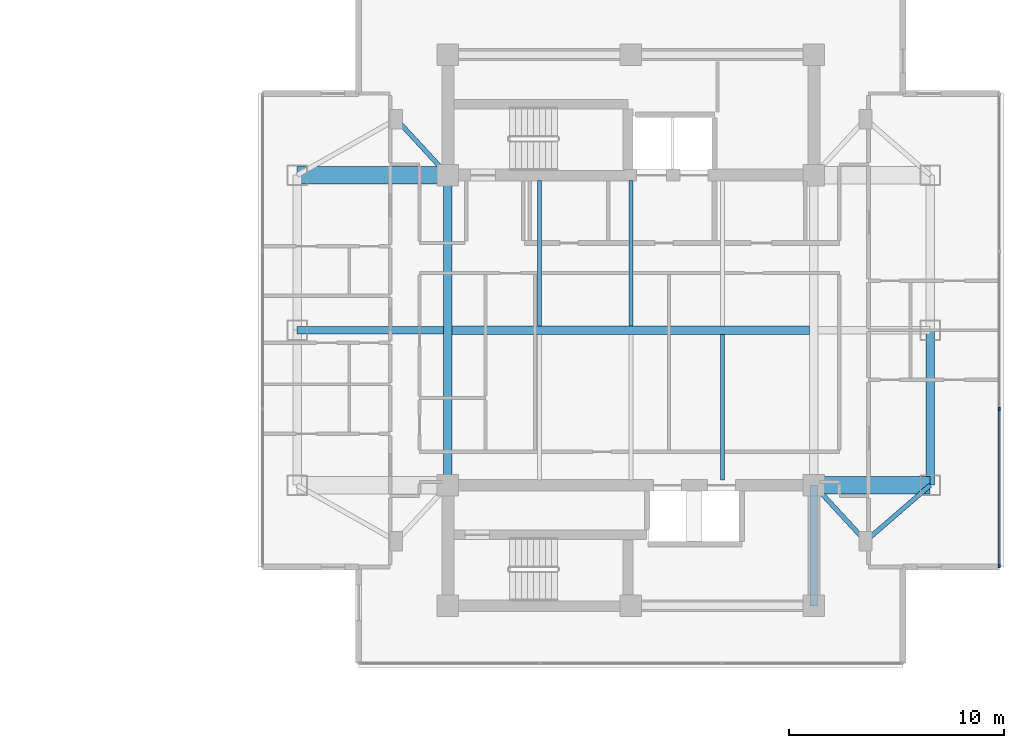
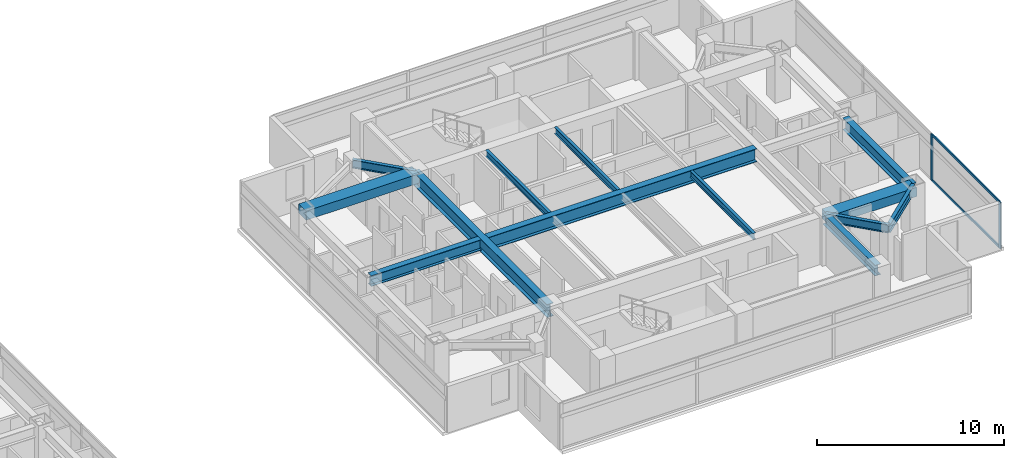
# One storey, part 9 of 24: 13 beams, 4 members, 1 element without a shape of its own.
"""IFC4 building model written with IfcOpenShell, lengths in metres."""

from ifc_helpers import new_model, si_unit, direction, frame, origin, origin_2d, place, context, subcontext, project, spatial, rectangle, i_section, extrude, material, material_profile, profile_set, type_object, element, aggregate, save


model = new_model("IFC4")

# Units and contexts
model_context = context("Model", 3, precision=1e-05, world=origin(), true_north=direction((0.0, 1.0)))
body_context = subcontext(model_context, "Body", "Model", "MODEL_VIEW")
ifc_project = project(units=[si_unit("LENGTHUNIT", "METRE"), si_unit("AREAUNIT", "SQUARE_METRE"), si_unit("VOLUMEUNIT", "CUBIC_METRE"), si_unit("PLANEANGLEUNIT", "RADIAN"), si_unit("MASSUNIT", "GRAM", prefix="KILO")], contexts=[model_context])

# Site, building, storey
site_placement = place(None, origin())
site = spatial("IfcSite", under=ifc_project, at=site_placement, CompositionType="ELEMENT")
building_placement = place(site_placement, origin())
building = spatial("IfcBuilding", under=site, at=building_placement, Name="Mirazonda Arch Towers", CompositionType="ELEMENT")
storey_placement = place(building_placement, frame((0.0, 0.0, 160.89990234375)))
storey = spatial("IfcBuildingStorey", under=building, at=storey_placement, Name="L45", CompositionType="ELEMENT", Elevation=160.89990234375)

# Beams
ifc_material_1 = material(Name="Steel ASTM A992 Grade 50", Category="steel")
ifc_material_profile_1 = material_profile(ifc_material_1, i_section(OverallWidth=0.381103515625, OverallDepth=0.77294921875, WebThickness=0.0166015625, FlangeThickness=0.027099609375, at=origin_2d()), Name="W30X173")
ifc_profile_set_1 = profile_set([ifc_material_profile_1], Name="Steel ASTM A992 Grade 50")
beam_type_1 = type_object("IfcBeamType", Name="BM-EXT-W30X173", PredefinedType="USERDEFINED", material=ifc_profile_set_1)
beam_1_placement = place(storey_placement, frame((90.39990234375, 20.800048828125, 2.66357421875), z_axis=(0.0, 1.0, 0.0), x_axis=(-1.0, 0.0, 0.0)))
element("IfcBeam", 1, at=beam_1_placement, inside=storey, type_object=beam_type_1, Name="L45 Floor Beam BM-T2-L45-NS-E-20", ObjectType="GIRDER", PredefinedType="USERDEFINED", context=body_context, shape_type="SweptSolid", body=[
    extrude(i_section(OverallWidth=0.381103515625, OverallDepth=0.77294921875, WebThickness=0.0166015625, FlangeThickness=0.027099609375, at=origin_2d()), origin(), (0.0, 0.0, 1.0), 7.199951171875),
])
ifc_material_profile_2 = material_profile(ifc_material_1, i_section(OverallWidth=0.180908203125, OverallDepth=0.4169921875, WebThickness=0.010986328125, FlangeThickness=0.018310546875, at=origin_2d()), Name="W16X57")
ifc_profile_set_2 = profile_set([ifc_material_profile_2], Name="Steel ASTM A992 Grade 50")
beam_type_2 = type_object("IfcBeamType", Name="BM-INT-W16X57", PredefinedType="JOIST", material=ifc_profile_set_2)
for number, where, z_axis, x_axis, name in (
    (2, (72.25, 28.196044921875, 2.841552734375), (0.0, 1.0, 0.0), (-1.0, 0.0, 0.0), "L45 Floor Beam BM-T2-L45-J-722-28"),
    (3, (76.5, 28.196044921875, 2.841552734375), (0.0, 1.0, 0.0), (-1.0, 0.0, 0.0), "L45 Floor Beam BM-T2-L45-J-765-28"),
    (4, (80.75, 21.0400390625, 2.841552734375), (0.0, 1.0, 0.0), (-1.0, 0.0, 0.0), "L45 Floor Beam BM-T2-L45-J-807-20"),
):
    element("IfcBeam", number, at=place(storey_placement, frame(where, z_axis=z_axis, x_axis=x_axis)), inside=storey, type_object=beam_type_2, Name=name, PredefinedType="JOIST", context=body_context, shape_type="SweptSolid", body=[
        extrude(i_section(OverallWidth=0.180908203125, OverallDepth=0.4169921875, WebThickness=0.010986328125, FlangeThickness=0.018310546875, at=origin_2d()), origin(), (0.0, 0.0, 1.0), 6.763916015625),
    ])
ifc_material_profile_3 = material_profile(ifc_material_1, i_section(OverallWidth=0.214111328125, OverallDepth=0.549072265625, WebThickness=0.0146484375, FlangeThickness=0.023681640625, at=origin_2d()), Name="W21X93")
ifc_profile_set_3 = profile_set([ifc_material_profile_3], Name="Steel ASTM A992 Grade 50")
beam_type_3 = type_object("IfcBeamType", Name="BM-INT-W21X93", PredefinedType="BEAM", material=ifc_profile_set_3)
beam_2_placement = place(storey_placement, frame((87.39990234375, 18.199951171875, 2.775634765625), z_axis=(-0.678251444854, 0.734829897019, 0.0), x_axis=(-0.734829897019, -0.678251444854, 0.0)))
element("IfcBeam", 5, at=beam_2_placement, inside=storey, type_object=beam_type_3, Name="L45 Floor Beam BM-T2-L45-PL-SE1", PredefinedType="BEAM", context=body_context, shape_type="SweptSolid", body=[
    extrude(i_section(OverallWidth=0.214111328125, OverallDepth=0.549072265625, WebThickness=0.0146484375, FlangeThickness=0.023681640625, at=origin_2d()), origin(), (0.0, 0.0, 1.0), 3.538330078125),
])
beam_3_placement = place(storey_placement, frame((87.39990234375, 18.199951171875, 2.775634765625), z_axis=(0.755676908098, 0.654944585876, 0.0), x_axis=(-0.654944585876, 0.755676908098, 0.0)))
element("IfcBeam", 6, at=beam_3_placement, inside=storey, type_object=beam_type_3, Name="L45 Floor Beam BM-T2-L45-PL-SE2", PredefinedType="BEAM", context=body_context, shape_type="SweptSolid", body=[
    extrude(i_section(OverallWidth=0.214111328125, OverallDepth=0.549072265625, WebThickness=0.0146484375, FlangeThickness=0.023681640625, at=origin_2d()), origin(), (0.0, 0.0, 1.0), 3.969970703125),
])
beam_4_placement = place(storey_placement, frame((65.60009765625, 37.800048828125, 2.775634765625), z_axis=(0.678251444854, -0.734829897019, 0.0), x_axis=(0.734829897019, 0.678251444854, 0.0)))
element("IfcBeam", 7, at=beam_4_placement, inside=storey, type_object=beam_type_3, Name="L45 Floor Beam BM-T2-L45-PL-NW1", PredefinedType="BEAM", context=body_context, shape_type="SweptSolid", body=[
    extrude(i_section(OverallWidth=0.214111328125, OverallDepth=0.549072265625, WebThickness=0.0146484375, FlangeThickness=0.023681640625, at=origin_2d()), origin(), (0.0, 0.0, 1.0), 3.538330078125),
])
ifc_material_profile_4 = material_profile(ifc_material_1, i_section(OverallWidth=0.35498046875, OverallDepth=0.696044921875, WebThickness=0.015380859375, FlangeThickness=0.02490234375, at=origin_2d()), Name="W27X146")
ifc_profile_set_4 = profile_set([ifc_material_profile_4], Name="Steel ASTM A992 Grade 50")
beam_type_4 = type_object("IfcBeamType", Name="BM-INT-W27X146", PredefinedType="BEAM", material=ifc_profile_set_4)
beam_5_placement = place(storey_placement, frame((85.0, 15.199951171875, 2.7021484375), z_axis=(0.0, 1.0, 0.0), x_axis=(-1.0, 0.0, 0.0)))
element("IfcBeam", 8, at=beam_5_placement, inside=storey, type_object=beam_type_4, Name="L45 Floor Beam BM-T2-L45-CSE", PredefinedType="BEAM", context=body_context, shape_type="SweptSolid", body=[
    extrude(i_section(OverallWidth=0.35498046875, OverallDepth=0.696044921875, WebThickness=0.015380859375, FlangeThickness=0.02490234375, at=origin_2d()), origin(), (0.0, 0.0, 1.0), 5.60009765625),
])
beam_6_placement = place(storey_placement, frame((61.0, 28.0, 2.7021484375), z_axis=(1.0, 0.0, 0.0), x_axis=(0.0, 1.0, 0.0)))
element("IfcBeam", 9, at=beam_6_placement, inside=storey, type_object=beam_type_4, Name="L45 Floor Beam BM-T2-L45-GW2", PredefinedType="BEAM", context=body_context, shape_type="SweptSolid", body=[
    extrude(i_section(OverallWidth=0.35498046875, OverallDepth=0.696044921875, WebThickness=0.015380859375, FlangeThickness=0.02490234375, at=origin_2d()), origin(), (0.0, 0.0, 1.0), 6.800048828125),
])
ifc_material_profile_5 = material_profile(ifc_material_1, i_section(OverallWidth=0.39990234375, OverallDepth=0.85595703125, WebThickness=0.018310546875, FlangeThickness=0.029296875, at=origin_2d()), Name="W33X201")
ifc_profile_set_5 = profile_set([ifc_material_profile_5], Name="Steel ASTM A992 Grade 50")
beam_type_5 = type_object("IfcBeamType", Name="BM-INT-W33X201", PredefinedType="USERDEFINED", material=ifc_profile_set_5)
beam_7_placement = place(storey_placement, frame((68.199951171875, 28.0, 2.6220703125), z_axis=(1.0, 0.0, 0.0), x_axis=(0.0, 1.0, 0.0)))
element("IfcBeam", 10, at=beam_7_placement, inside=storey, type_object=beam_type_5, Name="L45 Floor Beam BM-T2-L45-GC2", ObjectType="GIRDER", PredefinedType="USERDEFINED", context=body_context, shape_type="SweptSolid", body=[
    extrude(i_section(OverallWidth=0.39990234375, OverallDepth=0.85595703125, WebThickness=0.018310546875, FlangeThickness=0.029296875, at=origin_2d()), origin(), (0.0, 0.0, 1.0), 16.60009765625),
])
beam_8_placement = place(storey_placement, frame((68.0, 20.800048828125, 2.6220703125), z_axis=(0.0, 1.0, 0.0), x_axis=(-1.0, 0.0, 0.0)))
element("IfcBeam", 11, at=beam_8_placement, inside=storey, type_object=beam_type_5, Name="L45 Floor Beam BM-T2-L45-NS-CW-FULL", ObjectType="GIRDER", PredefinedType="USERDEFINED", context=body_context, shape_type="SweptSolid", body=[
    extrude(i_section(OverallWidth=0.39990234375, OverallDepth=0.85595703125, WebThickness=0.018310546875, FlangeThickness=0.029296875, at=origin_2d()), origin(), (0.0, 0.0, 1.0), 14.39990234375),
])
ifc_material_2 = material(Name="Concrete C60/75", Category="concrete")
ifc_material_profile_6 = material_profile(ifc_material_2, rectangle(XDim=0.800048828125, YDim=0.60009765625, at=origin_2d()), Name="RCCB800x600")
ifc_profile_set_6 = profile_set([ifc_material_profile_6], Name="Concrete C60/75")
beam_type_6 = type_object("IfcBeamType", Name="CB-INT-RCCB800x600", PredefinedType="SPANDREL", material=ifc_profile_set_6)
beam_9_placement = place(storey_placement, frame((61.0, 35.199951171875, 2.75), z_axis=(1.0, 0.0, 0.0), x_axis=(0.0, 1.0, 0.0)))
element("IfcBeam", 12, at=beam_9_placement, inside=storey, type_object=beam_type_6, Name="L45 Floor Beam CBC-T2-L45-NW", PredefinedType="SPANDREL", context=body_context, shape_type="SweptSolid", body=[
    extrude(rectangle(XDim=0.800048828125, YDim=0.60009765625, at=origin_2d()), origin(), (0.0, 0.0, 1.0), 7.0),
])
beam_10_placement = place(storey_placement, frame((85.0, 20.800048828125, 2.75), z_axis=(1.0, 0.0, 0.0), x_axis=(0.0, 1.0, 0.0)))
element("IfcBeam", 13, at=beam_10_placement, inside=storey, type_object=beam_type_6, Name="L45 Floor Beam CBC-T2-L45-SE", PredefinedType="SPANDREL", context=body_context, shape_type="SweptSolid", body=[
    extrude(rectangle(XDim=0.800048828125, YDim=0.60009765625, at=origin_2d()), origin(), (0.0, 0.0, 1.0), 5.39990234375),
])

# Curtain wall, members
ifc_material_3 = material(Name="Anodised Aluminium and Low-E Glass", Category="aluminium")
curtain_wall_type = type_object("IfcCurtainWallType", Name="CW-RES-UNIT", PredefinedType="NOTDEFINED", material=ifc_material_3)
curtain_wall_placement = place(storey_placement, origin())
curtain_wall = element("IfcCurtainWall", 14, at=curtain_wall_placement, inside=storey, type_object=curtain_wall_type, Name="L45 T2 E Facade CW-L45-T2-E", PredefinedType="NOTDEFINED")
ifc_material_4 = material(Name="Anodised Aluminium Alloy", Category="aluminium")
ifc_material_profile_7 = material_profile(ifc_material_4, rectangle(XDim=0.074951171875, YDim=0.175048828125, at=origin_2d()), Name="ALU-MULL-75x175")
ifc_profile_set_7 = profile_set([ifc_material_profile_7], Name="Anodised Aluminium Alloy")
member_type_1 = type_object("IfcMemberType", Name="MULL-CW-RES-UNIT", PredefinedType="MULLION", material=ifc_profile_set_7)
member_1_placement = place(storey_placement, frame((93.6083984375, 17.044677734375, 0.0), z_axis=(0.0, 0.0, 1.0), x_axis=(-1.0, 0.0, 0.0)))
member_1 = element("IfcMember", 15, at=member_1_placement, type_object=member_type_1, Name="CW-104 mullion 1", PredefinedType="MULLION", context=body_context, shape_type="SweptSolid", body=[
    extrude(rectangle(XDim=0.074951171875, YDim=0.175048828125, at=origin_2d()), origin(), (0.0, 0.0, 1.0), 3.030029296875),
])
member_2_placement = place(storey_placement, frame((93.6083984375, 24.335693359375, 0.0), z_axis=(0.0, 0.0, 1.0), x_axis=(-1.0, 0.0, 0.0)))
member_2 = element("IfcMember", 16, at=member_2_placement, type_object=member_type_1, Name="CW-104 mullion 2", PredefinedType="MULLION", context=body_context, shape_type="SweptSolid", body=[
    extrude(rectangle(XDim=0.074951171875, YDim=0.175048828125, at=origin_2d()), origin(), (0.0, 0.0, 1.0), 3.030029296875),
])
ifc_material_profile_8 = material_profile(ifc_material_4, rectangle(XDim=0.074951171875, YDim=0.155029296875, at=origin_2d()), Name="ALU-TRAN-75x155")
ifc_profile_set_8 = profile_set([ifc_material_profile_8], Name="Anodised Aluminium Alloy")
member_type_2 = type_object("IfcMemberType", Name="TRAN-CW-RES-UNIT", PredefinedType="USERDEFINED", material=ifc_profile_set_8)
member_3_placement = place(storey_placement, frame((93.6083984375, 17.08203125, 0.03759765625), z_axis=(0.0, 1.0, 0.0), x_axis=(-1.0, 0.0, 0.0)))
member_3 = element("IfcMember", 17, at=member_3_placement, type_object=member_type_2, Name="CW-104 transom 1.1", ObjectType="TRANSOM", PredefinedType="USERDEFINED", context=body_context, shape_type="SweptSolid", body=[
    extrude(rectangle(XDim=0.074951171875, YDim=0.155029296875, at=origin_2d()), origin(), (0.0, 0.0, 1.0), 7.216064453125),
])
member_4_placement = place(storey_placement, frame((93.6083984375, 17.08203125, 2.99267578125), z_axis=(0.0, 1.0, 0.0), x_axis=(-1.0, 0.0, 0.0)))
member_4 = element("IfcMember", 18, at=member_4_placement, type_object=member_type_2, Name="CW-104 transom 1.2", ObjectType="TRANSOM", PredefinedType="USERDEFINED", context=body_context, shape_type="SweptSolid", body=[
    extrude(rectangle(XDim=0.074951171875, YDim=0.155029296875, at=origin_2d()), origin(), (0.0, 0.0, 1.0), 7.216064453125),
])
aggregate(curtain_wall, [member_1, member_2, member_3, member_4])

save(model, "model.ifc")
